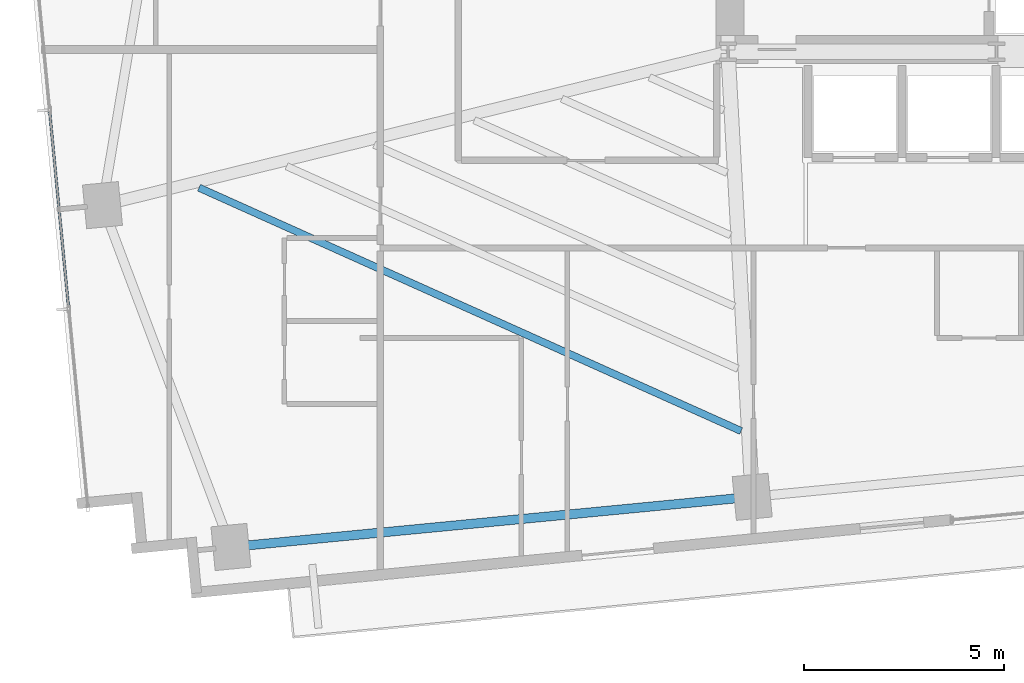
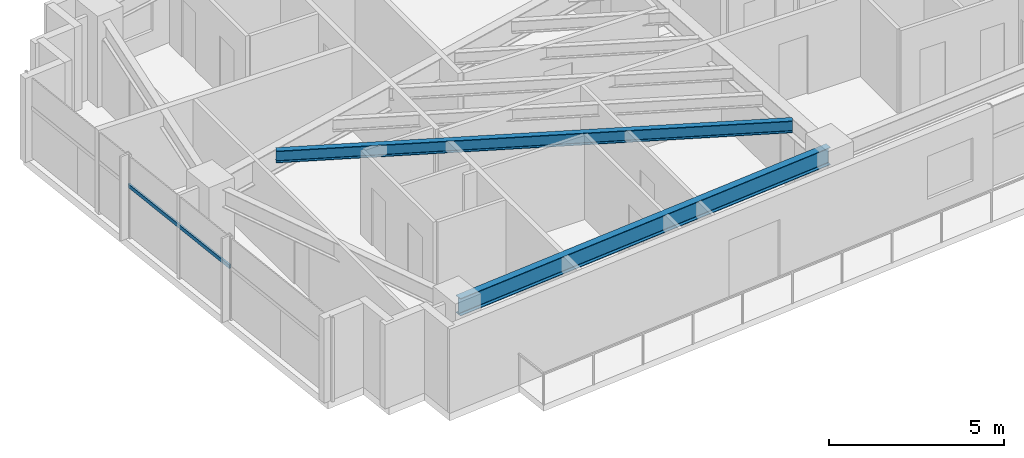
# One storey, part 3 of 27: 2 beams, 1 member, 1 element without a shape of its own.
"""IFC4 building model written with IfcOpenShell, lengths in metres."""

from ifc_helpers import new_model, si_unit, direction, frame, origin, origin_2d, place, context, subcontext, project, spatial, hollow_rectangle, i_section, extrude, source, transform, mapped, material, material_profile, profile_set, type_object, type_shapes, element, aggregate, save


model = new_model("IFC4")

# Units and contexts
model_context = context("Model", 3, precision=1e-05, world=origin(), true_north=direction((0.0, 1.0)))
body_context = subcontext(model_context, "Body", "Model", "MODEL_VIEW")
ifc_project = project(units=[si_unit("LENGTHUNIT", "METRE"), si_unit("AREAUNIT", "SQUARE_METRE"), si_unit("VOLUMEUNIT", "CUBIC_METRE"), si_unit("PLANEANGLEUNIT", "RADIAN"), si_unit("MASSUNIT", "GRAM", prefix="KILO")], contexts=[model_context])

# Site, building, storey
site_placement = place(None, origin())
site = spatial("IfcSite", under=ifc_project, at=site_placement, CompositionType="ELEMENT")
building_placement = place(site_placement, origin())
building = spatial("IfcBuilding", under=site, at=building_placement, Name="Astriad Promenade Condominiums", CompositionType="ELEMENT")
storey_placement = place(building_placement, frame((0.0, 0.0, 90.60009765625)))
storey = spatial("IfcBuildingStorey", under=building, at=storey_placement, Name="L25", CompositionType="ELEMENT", Elevation=90.60009765625)

# Beams
ifc_material_1 = material(Name="Steel ASTM A992 Grade 50", Category="steel")
ifc_material_profile_1 = material_profile(ifc_material_1, i_section(OverallWidth=0.22900390625, OverallDepth=0.612060546875, WebThickness=0.011962890625, FlangeThickness=0.01953125, FilletRadius=0.017822265625, at=origin_2d()), Name="W24X84")
ifc_profile_set_1 = profile_set([ifc_material_profile_1], Name="Steel ASTM A992 Grade 50")
beam_type_1 = type_object("IfcBeamType", Name="STEEL SPANDREL BEAM W24X84", PredefinedType="SPANDREL", material=ifc_profile_set_1)
shared_shape_1 = source(origin(), body_context, "Body", "SweptSolid", [
    extrude(i_section(OverallWidth=0.22900390625, OverallDepth=0.612060546875, WebThickness=0.011962890625, FlangeThickness=0.01953125, FilletRadius=0.017822265625, at=origin_2d()), origin(), (0.0, 0.0, 1.0), 13.02001953125),
])
type_shapes(beam_type_1, [shared_shape_1])
beam_1_placement = place(storey_placement, frame((14.005859375, 5.01318359375, 2.6337890625), z_axis=(0.995395138946, 0.095856754395, 0.0), x_axis=(-0.095856754395, 0.995395138946, 0.0)))
element("IfcBeam", 1, at=beam_1_placement, inside=storey, type_object=beam_type_1, Name="Perimeter Spandrel Beam SP-S1-L25", PredefinedType="SPANDREL", context=body_context, shape_type="MappedRepresentation", body=[
    mapped(shared_shape_1, transform((0.0, 0.0, 0.0), scale=1.0)),
])
ifc_material_profile_2 = material_profile(ifc_material_1, i_section(OverallWidth=0.180908203125, OverallDepth=0.417236328125, WebThickness=0.010986328125, FlangeThickness=0.018310546875, FilletRadius=0.013916015625, at=origin_2d()), Name="W16X57")
ifc_profile_set_2 = profile_set([ifc_material_profile_2], Name="Steel ASTM A992 Grade 50")
beam_type_2 = type_object("IfcBeamType", Name="STEEL FLOOR JOIST W16X57", PredefinedType="JOIST", material=ifc_profile_set_2)
shared_shape_2 = source(origin(), body_context, "Body", "SweptSolid", [
    extrude(i_section(OverallWidth=0.180908203125, OverallDepth=0.417236328125, WebThickness=0.010986328125, FlangeThickness=0.018310546875, FilletRadius=0.013916015625, at=origin_2d()), origin(), (0.0, 0.0, 1.0), 14.863037109375),
])
type_shapes(beam_type_2, [shared_shape_2])
beam_2_placement = place(storey_placement, frame((13.168212890625, 13.996826171875, 2.731201171875), z_axis=(0.912311114602, -0.409497777984, 0.0), x_axis=(0.409497777984, 0.912311114602, 0.0)))
element("IfcBeam", 2, at=beam_2_placement, inside=storey, type_object=beam_type_2, Name="Secondary Composite Floor Joist JW1-1-L25", PredefinedType="JOIST", context=body_context, shape_type="MappedRepresentation", body=[
    mapped(shared_shape_2, transform((0.0, 0.0, 0.0), scale=1.0)),
])

# Curtain wall, member
ifc_material_2 = material(Name="Anodised aluminium Black Dark Glass Unitised", Category="aluminium")
curtain_wall_type = type_object("IfcCurtainWallType", Name="CW-B2-DARK", PredefinedType="USERDEFINED", material=ifc_material_2)
curtain_wall_placement = place(storey_placement, origin())
curtain_wall = element("IfcCurtainWall", 3, at=curtain_wall_placement, inside=storey, type_object=curtain_wall_type, Name="CW-L25-W", ObjectType="UNITISED_CURTAIN_WALL", PredefinedType="USERDEFINED")
ifc_material_3 = material(Name="Anodised aluminium 6063-T6 Black", Category="aluminium")
ifc_material_profile_3 = material_profile(ifc_material_3, hollow_rectangle(XDim=0.06494140625, YDim=0.1298828125, WallThickness=0.00390625, at=origin_2d()), Name="ALU-TRN-65X130")
ifc_profile_set_3 = profile_set([ifc_material_profile_3], Name="Anodised aluminium 6063-T6 Black")
member_type = type_object("IfcMemberType", Name="TRN-ALU-TRN-65X130", PredefinedType="USERDEFINED", material=ifc_profile_set_3)
shared_shape_3 = source(origin(), body_context, "Body", "SweptSolid", [
    extrude(hollow_rectangle(XDim=0.06494140625, YDim=0.1298828125, WallThickness=0.00390625, at=origin_2d()), origin(), (0.0, 0.0, 1.0), 5.0),
])
type_shapes(member_type, [shared_shape_3])
member_placement = place(storey_placement, frame((9.90625, 10.9677734375, 1.82275390625), z_axis=(-0.095848242264, 0.995395958629, 0.0), x_axis=(-0.995395958629, -0.095848242264, 0.0)))
member = element("IfcMember", 4, at=member_placement, type_object=member_type, Name="CW-L25-W-TRN-01-0", ObjectType="TRANSOM", PredefinedType="USERDEFINED", context=body_context, shape_type="MappedRepresentation", body=[
    mapped(shared_shape_3, transform((0.0, 0.0, 0.0), scale=1.0)),
])
aggregate(curtain_wall, [member])

save(model, "model.ifc")
